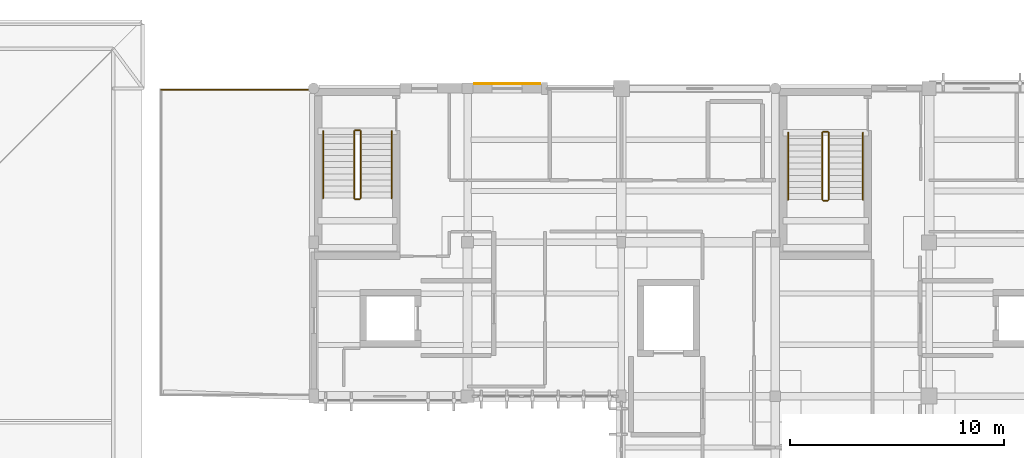
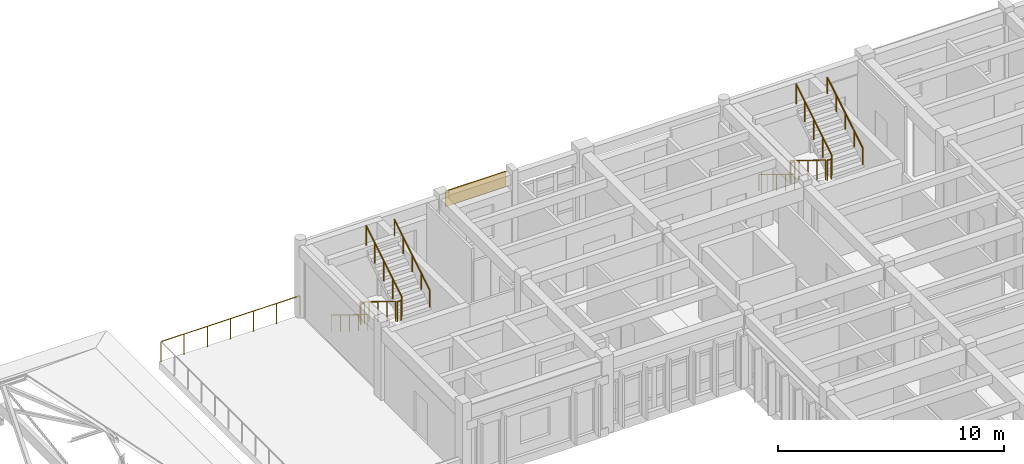
# One storey, part 49 of 51: 13 railings, 1 covering.
"""IFC4 building model written with IfcOpenShell, lengths in metres."""

from ifc_helpers import new_model, si_unit, direction, frame, origin, origin_2d, place, context, subcontext, project, spatial, rectangle, circle, extrude, material, layer, layer_set, type_object, element, save


model = new_model("IFC4")

# Units and contexts
model_context = context("Model", 3, precision=1e-05, world=origin(), true_north=direction((0.0, 1.0)))
body_context = subcontext(model_context, "Body", "Model", "MODEL_VIEW")
ifc_project = project(units=[si_unit("LENGTHUNIT", "METRE"), si_unit("AREAUNIT", "SQUARE_METRE"), si_unit("VOLUMEUNIT", "CUBIC_METRE"), si_unit("PLANEANGLEUNIT", "RADIAN"), si_unit("MASSUNIT", "GRAM", prefix="KILO")], contexts=[model_context])

# Site, building, storey
site_placement = place(None, origin())
site = spatial("IfcSite", under=ifc_project, at=site_placement, CompositionType="ELEMENT")
building_placement = place(site_placement, origin())
building = spatial("IfcBuilding", under=site, at=building_placement, Name="Steenspoor Specialist Clinic", CompositionType="ELEMENT")
storey_placement = place(building_placement, frame((0.0, 0.0, 17.39990234375)))
storey = spatial("IfcBuildingStorey", under=building, at=storey_placement, Name="L04", CompositionType="ELEMENT", Elevation=17.39990234375)

# Covering
ifc_material_1 = material(Name="Glulam GL28h timber screen louvre cladding", Category="wood")
ifc_layer = layer(ifc_material_1, 0.044921875)
ifc_layer_set = layer_set([ifc_layer], Name="Glulam GL28h timber screen louvre cladding")
covering_type = type_object("IfcCoveringType", Name="COV-CLAD-TIMBER", PredefinedType="CLADDING", material=ifc_layer_set)
covering_placement = place(storey_placement, frame((68.655029296875, 108.56494140625, 3.0849609375), z_axis=(0.0, 0.0, 1.0), x_axis=(1.0, 0.0, 0.0)))
element("IfcCovering", 1, at=covering_placement, inside=storey, type_object=covering_type, Name="Spandrel Cladding 57", PredefinedType="CLADDING", context=body_context, shape_type="SweptSolid", body=[
    extrude(rectangle(XDim=3.090087890625, YDim=0.0400390625, at=origin_2d()), origin(), (0.0, 0.0, 1.0), 0.840087890625),
])

# Railings
ifc_material_2 = material(Name="Galvanised architectural steel exterior guard", Category="steel")
railing_type_1 = type_object("IfcRailingType", Name="RAIL-EGUARD-1100", PredefinedType="GUARDRAIL", material=ifc_material_2)
railing_1_placement = place(storey_placement, frame((59.5400390625, 108.2900390625, 0.0)))
element("IfcRailing", 2, at=railing_1_placement, inside=storey, type_object=railing_type_1, Name="Terrace Perimeter Guard 8", PredefinedType="GUARDRAIL", context=body_context, shape_type="SweptSolid", body=[
    extrude(circle(Radius=0.02392578125, at=origin_2d()), frame((0.0, 0.0, 1.09619140625), z_axis=(-1.0, 0.0, 0.0), x_axis=(0.0, -1.0, 0.0)), (0.0, 0.0, 1.0), 7.080078125),
    extrude(circle(Radius=0.02099609375, at=origin_2d()), origin(), (0.0, 0.0, 1.0), 1.072021484375),
    extrude(circle(Radius=0.02099609375, at=origin_2d()), frame((-1.179931640625, 0.0, 0.0)), (0.0, 0.0, 1.0), 1.072021484375),
    extrude(circle(Radius=0.02099609375, at=origin_2d()), frame((-2.360107421875, 0.0, 0.0)), (0.0, 0.0, 1.0), 1.072021484375),
    extrude(circle(Radius=0.02099609375, at=origin_2d()), frame((-3.5400390625, 0.0, 0.0)), (0.0, 0.0, 1.0), 1.072021484375),
    extrude(circle(Radius=0.02099609375, at=origin_2d()), frame((-4.719970703125, 0.0, 0.0)), (0.0, 0.0, 1.0), 1.072021484375),
    extrude(circle(Radius=0.02099609375, at=origin_2d()), frame((-5.900146484375, 0.0, 0.0)), (0.0, 0.0, 1.0), 1.072021484375),
    extrude(circle(Radius=0.02099609375, at=origin_2d()), frame((-7.080078125, 0.0, 0.0)), (0.0, 0.0, 1.0), 1.072021484375),
])
ifc_material_3 = material(Name="Painted architectural steel balustrade", Category="steel")
railing_type_2 = type_object("IfcRailingType", Name="RAIL-GUARD-1100", PredefinedType="GUARDRAIL", material=ifc_material_3)
railing_2_placement = place(storey_placement, frame((61.5, 106.35009765625, 0.175048828125)))
element("IfcRailing", 3, at=railing_2_placement, inside=storey, type_object=railing_type_2, Name="L04 ST-V4A stair guard 1", PredefinedType="GUARDRAIL", context=body_context, shape_type="SweptSolid", body=[
    extrude(circle(Radius=0.02392578125, at=origin_2d()), frame((0.0, 0.0, 1.076171875), z_axis=(0.0, -0.852166034122, 0.523271488128), x_axis=(1.0, 0.0, 0.0)), (0.0, 0.0, 1.0), 3.678955078125),
    extrude(circle(Radius=0.02099609375, at=origin_2d()), origin(), (0.0, 0.0, 1.0), 1.052001953125),
    extrude(circle(Radius=0.02099609375, at=origin_2d()), frame((0.0, -0.78369140625, 0.481201171875)), (0.0, 0.0, 1.0), 1.052001953125),
    extrude(circle(Radius=0.02099609375, at=origin_2d()), frame((0.0, -1.5673828125, 0.96240234375)), (0.0, 0.0, 1.0), 1.052001953125),
    extrude(circle(Radius=0.02099609375, at=origin_2d()), frame((0.0, -2.351318359375, 1.44384765625)), (0.0, 0.0, 1.0), 1.052001953125),
    extrude(circle(Radius=0.02099609375, at=origin_2d()), frame((0.0, -3.135009765625, 1.925048828125)), (0.0, 0.0, 1.0), 1.052001953125),
])
railing_3_placement = place(storey_placement, frame((61.550048828125, 103.1650390625, 2.10009765625)))
element("IfcRailing", 4, at=railing_3_placement, inside=storey, type_object=railing_type_2, Name="L04 ST-V4A stair guard 2", PredefinedType="GUARDRAIL", context=body_context, shape_type="SweptSolid", body=[
    extrude(circle(Radius=0.02392578125, at=origin_2d()), frame((0.0, 0.0, 1.076171875), z_axis=(1.0, 0.0, 0.0), x_axis=(0.0, 1.0, 0.0)), (0.0, 0.0, 1.0), 0.199951171875),
    extrude(circle(Radius=0.02099609375, at=origin_2d()), origin(), (0.0, 0.0, 1.0), 1.052001953125),
    extrude(circle(Radius=0.02099609375, at=origin_2d()), frame((0.199951171875, 0.0, 0.0)), (0.0, 0.0, 1.0), 1.052001953125),
])
railing_4_placement = place(storey_placement, frame((61.800048828125, 103.215087890625, 2.275146484375)))
element("IfcRailing", 5, at=railing_4_placement, inside=storey, type_object=railing_type_2, Name="L04 ST-V4A stair guard 3", PredefinedType="GUARDRAIL", context=body_context, shape_type="SweptSolid", body=[
    extrude(circle(Radius=0.02392578125, at=origin_2d()), frame((0.0, 0.0, 1.076171875), z_axis=(0.0, 0.852166034122, 0.523271488128), x_axis=(-1.0, 0.0, 0.0)), (0.0, 0.0, 1.0), 3.678955078125),
    extrude(circle(Radius=0.02099609375, at=origin_2d()), origin(), (0.0, 0.0, 1.0), 1.052001953125),
    extrude(circle(Radius=0.02099609375, at=origin_2d()), frame((0.0, 0.78369140625, 0.481201171875)), (0.0, 0.0, 1.0), 1.052001953125),
    extrude(circle(Radius=0.02099609375, at=origin_2d()), frame((0.0, 1.5673828125, 0.96240234375)), (0.0, 0.0, 1.0), 1.052001953125),
    extrude(circle(Radius=0.02099609375, at=origin_2d()), frame((0.0, 2.351318359375, 1.44384765625)), (0.0, 0.0, 1.0), 1.052001953125),
    extrude(circle(Radius=0.02099609375, at=origin_2d()), frame((0.0, 3.135009765625, 1.925048828125)), (0.0, 0.0, 1.0), 1.052001953125),
])
railing_5_placement = place(storey_placement, frame((61.550048828125, 106.39990234375, 0.0)))
element("IfcRailing", 6, at=railing_5_placement, inside=storey, type_object=railing_type_2, Name="L04 ST-V4A stair guard 4", PredefinedType="GUARDRAIL", context=body_context, shape_type="SweptSolid", body=[
    extrude(circle(Radius=0.02392578125, at=origin_2d()), frame((0.0, 0.0, 1.076171875), z_axis=(1.0, 0.0, 0.0), x_axis=(0.0, 1.0, 0.0)), (0.0, 0.0, 1.0), 0.199951171875),
    extrude(circle(Radius=0.02099609375, at=origin_2d()), origin(), (0.0, 0.0, 1.0), 1.052001953125),
    extrude(circle(Radius=0.02099609375, at=origin_2d()), frame((0.199951171875, 0.0, 0.0)), (0.0, 0.0, 1.0), 1.052001953125),
])
railing_6_placement = place(storey_placement, frame((83.39990234375, 106.280029296875, 0.175048828125)))
element("IfcRailing", 7, at=railing_6_placement, inside=storey, type_object=railing_type_2, Name="L04 ST-V4C stair guard 1", PredefinedType="GUARDRAIL", context=body_context, shape_type="SweptSolid", body=[
    extrude(circle(Radius=0.02392578125, at=origin_2d()), frame((0.0, 0.0, 1.076171875), z_axis=(0.0, -0.852166034122, 0.523271488128), x_axis=(1.0, 0.0, 0.0)), (0.0, 0.0, 1.0), 3.678955078125),
    extrude(circle(Radius=0.02099609375, at=origin_2d()), origin(), (0.0, 0.0, 1.0), 1.052001953125),
    extrude(circle(Radius=0.02099609375, at=origin_2d()), frame((0.0, -0.78369140625, 0.481201171875)), (0.0, 0.0, 1.0), 1.052001953125),
    extrude(circle(Radius=0.02099609375, at=origin_2d()), frame((0.0, -1.5673828125, 0.96240234375)), (0.0, 0.0, 1.0), 1.052001953125),
    extrude(circle(Radius=0.02099609375, at=origin_2d()), frame((0.0, -2.351318359375, 1.44384765625)), (0.0, 0.0, 1.0), 1.052001953125),
    extrude(circle(Radius=0.02099609375, at=origin_2d()), frame((0.0, -3.135009765625, 1.925048828125)), (0.0, 0.0, 1.0), 1.052001953125),
])
railing_7_placement = place(storey_placement, frame((83.449951171875, 103.094970703125, 2.10009765625)))
element("IfcRailing", 8, at=railing_7_placement, inside=storey, type_object=railing_type_2, Name="L04 ST-V4C stair guard 2", PredefinedType="GUARDRAIL", context=body_context, shape_type="SweptSolid", body=[
    extrude(circle(Radius=0.02392578125, at=origin_2d()), frame((0.0, 0.0, 1.076171875), z_axis=(1.0, 0.0, 0.0), x_axis=(0.0, 1.0, 0.0)), (0.0, 0.0, 1.0), 0.199951171875),
    extrude(circle(Radius=0.02099609375, at=origin_2d()), origin(), (0.0, 0.0, 1.0), 1.052001953125),
    extrude(circle(Radius=0.02099609375, at=origin_2d()), frame((0.199951171875, 0.0, 0.0)), (0.0, 0.0, 1.0), 1.052001953125),
])
railing_8_placement = place(storey_placement, frame((83.699951171875, 103.14501953125, 2.275146484375)))
element("IfcRailing", 9, at=railing_8_placement, inside=storey, type_object=railing_type_2, Name="L04 ST-V4C stair guard 3", PredefinedType="GUARDRAIL", context=body_context, shape_type="SweptSolid", body=[
    extrude(circle(Radius=0.02392578125, at=origin_2d()), frame((0.0, 0.0, 1.076171875), z_axis=(0.0, 0.852166034122, 0.523271488128), x_axis=(-1.0, 0.0, 0.0)), (0.0, 0.0, 1.0), 3.678955078125),
    extrude(circle(Radius=0.02099609375, at=origin_2d()), origin(), (0.0, 0.0, 1.0), 1.052001953125),
    extrude(circle(Radius=0.02099609375, at=origin_2d()), frame((0.0, 0.78369140625, 0.481201171875)), (0.0, 0.0, 1.0), 1.052001953125),
    extrude(circle(Radius=0.02099609375, at=origin_2d()), frame((0.0, 1.5673828125, 0.96240234375)), (0.0, 0.0, 1.0), 1.052001953125),
    extrude(circle(Radius=0.02099609375, at=origin_2d()), frame((0.0, 2.351318359375, 1.44384765625)), (0.0, 0.0, 1.0), 1.052001953125),
    extrude(circle(Radius=0.02099609375, at=origin_2d()), frame((0.0, 3.135009765625, 1.925048828125)), (0.0, 0.0, 1.0), 1.052001953125),
])
railing_9_placement = place(storey_placement, frame((83.449951171875, 106.330078125, 0.0)))
element("IfcRailing", 10, at=railing_9_placement, inside=storey, type_object=railing_type_2, Name="L04 ST-V4C stair guard 4", PredefinedType="GUARDRAIL", context=body_context, shape_type="SweptSolid", body=[
    extrude(circle(Radius=0.02392578125, at=origin_2d()), frame((0.0, 0.0, 1.076171875), z_axis=(1.0, 0.0, 0.0), x_axis=(0.0, 1.0, 0.0)), (0.0, 0.0, 1.0), 0.199951171875),
    extrude(circle(Radius=0.02099609375, at=origin_2d()), origin(), (0.0, 0.0, 1.0), 1.052001953125),
    extrude(circle(Radius=0.02099609375, at=origin_2d()), frame((0.199951171875, 0.0, 0.0)), (0.0, 0.0, 1.0), 1.052001953125),
])
ifc_material_4 = material(Name="Brushed stainless steel clinical handrail", Category="steel")
railing_type_3 = type_object("IfcRailingType", Name="RAIL-HAND-900", PredefinedType="HANDRAIL", material=ifc_material_4)
railing_10_placement = place(storey_placement, frame((60.050048828125, 106.35009765625, 0.175048828125)))
element("IfcRailing", 11, at=railing_10_placement, inside=storey, type_object=railing_type_3, Name="L04 ST-V4A stair handrail 1", PredefinedType="HANDRAIL", context=body_context, shape_type="SweptSolid", body=[
    extrude(circle(Radius=0.02392578125, at=origin_2d()), frame((0.0, 0.0, 0.8759765625), z_axis=(0.0, -0.852166034122, 0.523271488128), x_axis=(1.0, 0.0, 0.0)), (0.0, 0.0, 1.0), 3.678955078125),
    extrude(circle(Radius=0.02099609375, at=origin_2d()), origin(), (0.0, 0.0, 1.0), 0.851806640625),
    extrude(circle(Radius=0.02099609375, at=origin_2d()), frame((0.0, -0.78369140625, 0.481201171875)), (0.0, 0.0, 1.0), 0.851806640625),
    extrude(circle(Radius=0.02099609375, at=origin_2d()), frame((0.0, -1.5673828125, 0.96240234375)), (0.0, 0.0, 1.0), 0.851806640625),
    extrude(circle(Radius=0.02099609375, at=origin_2d()), frame((0.0, -2.351318359375, 1.44384765625)), (0.0, 0.0, 1.0), 0.851806640625),
    extrude(circle(Radius=0.02099609375, at=origin_2d()), frame((0.0, -3.135009765625, 1.925048828125)), (0.0, 0.0, 1.0), 0.851806640625),
])
railing_11_placement = place(storey_placement, frame((63.25, 103.215087890625, 2.275146484375)))
element("IfcRailing", 12, at=railing_11_placement, inside=storey, type_object=railing_type_3, Name="L04 ST-V4A stair handrail 2", PredefinedType="HANDRAIL", context=body_context, shape_type="SweptSolid", body=[
    extrude(circle(Radius=0.02392578125, at=origin_2d()), frame((0.0, 0.0, 0.8759765625), z_axis=(0.0, 0.852166034122, 0.523271488128), x_axis=(-1.0, 0.0, 0.0)), (0.0, 0.0, 1.0), 3.678955078125),
    extrude(circle(Radius=0.02099609375, at=origin_2d()), origin(), (0.0, 0.0, 1.0), 0.851806640625),
    extrude(circle(Radius=0.02099609375, at=origin_2d()), frame((0.0, 0.78369140625, 0.481201171875)), (0.0, 0.0, 1.0), 0.851806640625),
    extrude(circle(Radius=0.02099609375, at=origin_2d()), frame((0.0, 1.5673828125, 0.96240234375)), (0.0, 0.0, 1.0), 0.851806640625),
    extrude(circle(Radius=0.02099609375, at=origin_2d()), frame((0.0, 2.351318359375, 1.44384765625)), (0.0, 0.0, 1.0), 0.851806640625),
    extrude(circle(Radius=0.02099609375, at=origin_2d()), frame((0.0, 3.135009765625, 1.925048828125)), (0.0, 0.0, 1.0), 0.851806640625),
])
railing_12_placement = place(storey_placement, frame((81.800048828125, 106.280029296875, 0.175048828125)))
element("IfcRailing", 13, at=railing_12_placement, inside=storey, type_object=railing_type_3, Name="L04 ST-V4C stair handrail 1", PredefinedType="HANDRAIL", context=body_context, shape_type="SweptSolid", body=[
    extrude(circle(Radius=0.02392578125, at=origin_2d()), frame((0.0, 0.0, 0.8759765625), z_axis=(0.0, -0.852166034122, 0.523271488128), x_axis=(1.0, 0.0, 0.0)), (0.0, 0.0, 1.0), 3.678955078125),
    extrude(circle(Radius=0.02099609375, at=origin_2d()), origin(), (0.0, 0.0, 1.0), 0.851806640625),
    extrude(circle(Radius=0.02099609375, at=origin_2d()), frame((0.0, -0.78369140625, 0.481201171875)), (0.0, 0.0, 1.0), 0.851806640625),
    extrude(circle(Radius=0.02099609375, at=origin_2d()), frame((0.0, -1.5673828125, 0.96240234375)), (0.0, 0.0, 1.0), 0.851806640625),
    extrude(circle(Radius=0.02099609375, at=origin_2d()), frame((0.0, -2.351318359375, 1.44384765625)), (0.0, 0.0, 1.0), 0.851806640625),
    extrude(circle(Radius=0.02099609375, at=origin_2d()), frame((0.0, -3.135009765625, 1.925048828125)), (0.0, 0.0, 1.0), 0.851806640625),
])
railing_13_placement = place(storey_placement, frame((85.300048828125, 103.14501953125, 2.275146484375)))
element("IfcRailing", 14, at=railing_13_placement, inside=storey, type_object=railing_type_3, Name="L04 ST-V4C stair handrail 2", PredefinedType="HANDRAIL", context=body_context, shape_type="SweptSolid", body=[
    extrude(circle(Radius=0.02392578125, at=origin_2d()), frame((0.0, 0.0, 0.8759765625), z_axis=(0.0, 0.852166034122, 0.523271488128), x_axis=(-1.0, 0.0, 0.0)), (0.0, 0.0, 1.0), 3.678955078125),
    extrude(circle(Radius=0.02099609375, at=origin_2d()), origin(), (0.0, 0.0, 1.0), 0.851806640625),
    extrude(circle(Radius=0.02099609375, at=origin_2d()), frame((0.0, 0.78369140625, 0.481201171875)), (0.0, 0.0, 1.0), 0.851806640625),
    extrude(circle(Radius=0.02099609375, at=origin_2d()), frame((0.0, 1.5673828125, 0.96240234375)), (0.0, 0.0, 1.0), 0.851806640625),
    extrude(circle(Radius=0.02099609375, at=origin_2d()), frame((0.0, 2.351318359375, 1.44384765625)), (0.0, 0.0, 1.0), 0.851806640625),
    extrude(circle(Radius=0.02099609375, at=origin_2d()), frame((0.0, 3.135009765625, 1.925048828125)), (0.0, 0.0, 1.0), 0.851806640625),
])

save(model, "model.ifc")
